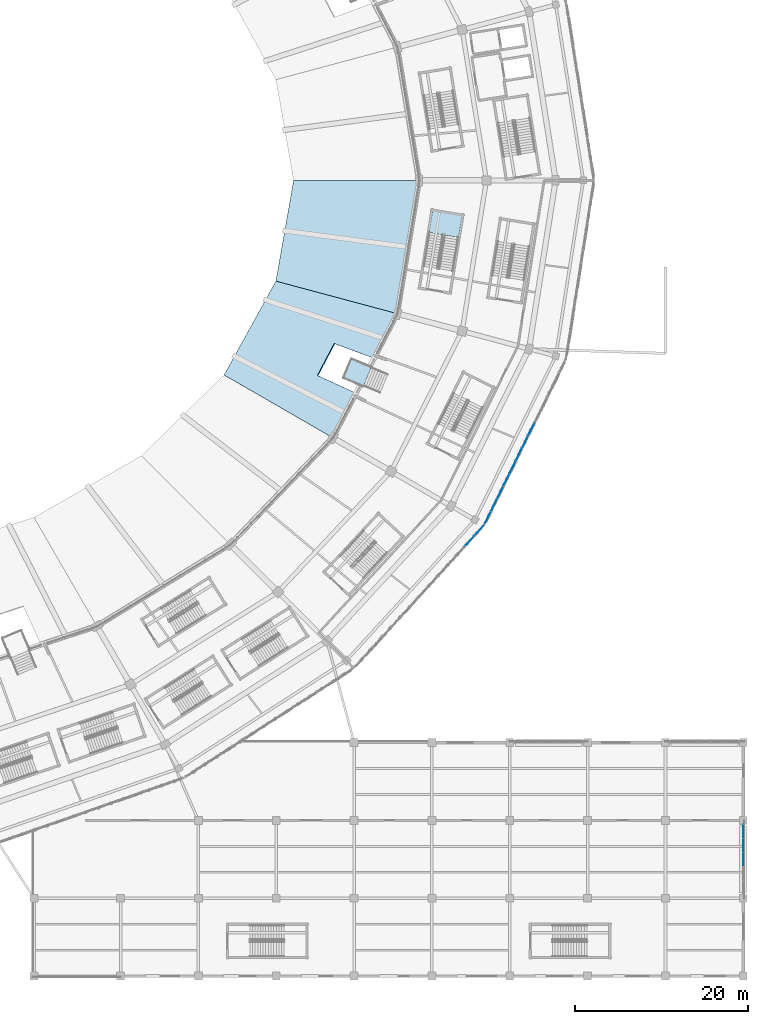
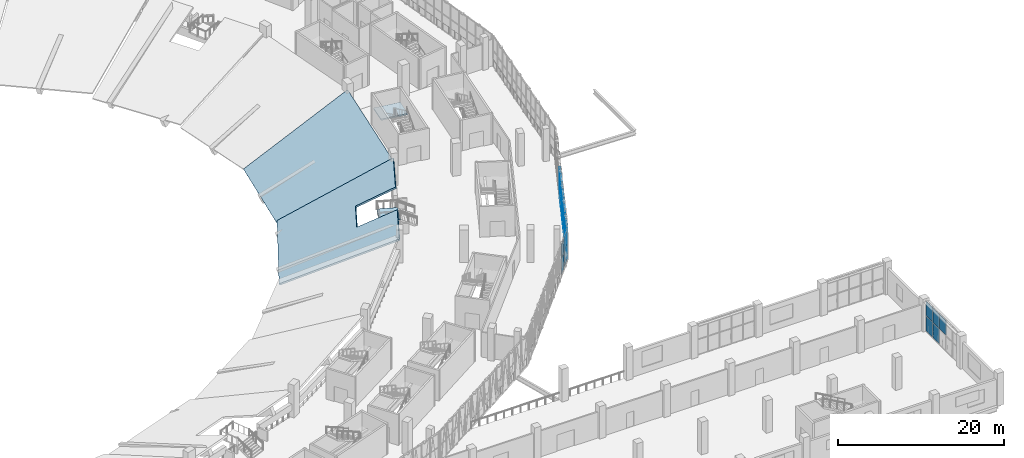
# One storey, part 83 of 183: 25 plates, 4 slabs, 5 elements without a shape of their own.
"""IFC4 building model written with IfcOpenShell, lengths in metres."""

from ifc_helpers import new_model, si_unit, direction, frame, origin, origin_2d, place, context, subcontext, project, spatial, polyline, rectangle, outline, extrude, material, layer, layer_set, type_object, element, aggregate, save


model = new_model("IFC4")

# Units and contexts
model_context = context("Model", 3, precision=1e-05, world=origin(), true_north=direction((0.0, 1.0)))
body_context = subcontext(model_context, "Body", "Model", "MODEL_VIEW")
ifc_project = project(units=[si_unit("LENGTHUNIT", "METRE"), si_unit("AREAUNIT", "SQUARE_METRE"), si_unit("VOLUMEUNIT", "CUBIC_METRE"), si_unit("PLANEANGLEUNIT", "RADIAN"), si_unit("MASSUNIT", "GRAM", prefix="KILO")], contexts=[model_context])

# Site, building, storey
site_placement = place(None, origin())
site = spatial("IfcSite", under=ifc_project, at=site_placement, CompositionType="ELEMENT")
building_placement = place(site_placement, origin())
building = spatial("IfcBuilding", under=site, at=building_placement, Name="Zevraka Park Crest Stadium", CompositionType="ELEMENT")
storey_placement = place(building_placement, frame((0.0, 0.0, 5.39990234375)))
storey = spatial("IfcBuildingStorey", under=building, at=storey_placement, Name="L01", CompositionType="ELEMENT", Elevation=5.39990234375)

# Curtain wall, plates
ifc_material_1 = material(Name="Anodised architectural aluminium and laminated safety glass", Category="aluminium")
curtain_wall_type_1 = type_object("IfcCurtainWallType", Name="CW02", PredefinedType="NOTDEFINED", material=ifc_material_1)
curtain_wall_1_placement = place(storey_placement, origin())
curtain_wall_1 = element("IfcCurtainWall", 1, at=curtain_wall_1_placement, inside=storey, type_object=curtain_wall_type_1, Name="Unitised Ring Curtain Wall CW02 L01-22", PredefinedType="NOTDEFINED")
ifc_material_2 = material(Name="Solar-control laminated double glazing", Category="glass")
ifc_layer_1 = layer(ifc_material_2, 0.028076171875)
ifc_layer_set_1 = layer_set([ifc_layer_1], Name="Solar-control laminated double glazing")
plate_type_1 = type_object("IfcPlateType", Name="CP02", PredefinedType="CURTAIN_PANEL", material=ifc_layer_set_1)
plate_1_placement = place(storey_placement, frame((194.45556640625, 53.006103515625, 0.06494140625), z_axis=(0.0, 0.0, 1.0), x_axis=(0.44151730924, 0.897252732312, 0.0)))
plate_1 = element("IfcPlate", 2, at=plate_1_placement, type_object=plate_type_1, Name="CW02 panel 1.1", PredefinedType="CURTAIN_PANEL", context=body_context, shape_type="SweptSolid", body=[
    extrude(rectangle(XDim=1.531005859375, YDim=0.028076171875, at=origin_2d()), origin(), (0.0, 0.0, 1.0), 2.302490234375),
])
plate_2_placement = place(storey_placement, frame((194.45556640625, 53.006103515625, 2.4326171875), z_axis=(0.0, 0.0, 1.0), x_axis=(0.44151730924, 0.897252732312, 0.0)))
plate_2 = element("IfcPlate", 3, at=plate_2_placement, type_object=plate_type_1, Name="CW02 panel 1.2", PredefinedType="CURTAIN_PANEL", context=body_context, shape_type="SweptSolid", body=[
    extrude(rectangle(XDim=1.531005859375, YDim=0.028076171875, at=origin_2d()), origin(), (0.0, 0.0, 1.0), 2.0224609375),
])
plate_3_placement = place(storey_placement, frame((195.16748046875, 54.45263671875, 0.06494140625), z_axis=(0.0, 0.0, 1.0), x_axis=(0.44151730924, 0.897252732312, 0.0)))
plate_3 = element("IfcPlate", 4, at=plate_3_placement, type_object=plate_type_1, Name="CW02 panel 2.1", PredefinedType="CURTAIN_PANEL", context=body_context, shape_type="SweptSolid", body=[
    extrude(rectangle(XDim=1.5634765625, YDim=0.028076171875, at=origin_2d()), origin(), (0.0, 0.0, 1.0), 2.302490234375),
])
plate_4_placement = place(storey_placement, frame((195.16748046875, 54.45263671875, 2.4326171875), z_axis=(0.0, 0.0, 1.0), x_axis=(0.44151730924, 0.897252732312, 0.0)))
plate_4 = element("IfcPlate", 5, at=plate_4_placement, type_object=plate_type_1, Name="CW02 panel 2.2", PredefinedType="CURTAIN_PANEL", context=body_context, shape_type="SweptSolid", body=[
    extrude(rectangle(XDim=1.5634765625, YDim=0.028076171875, at=origin_2d()), origin(), (0.0, 0.0, 1.0), 2.0224609375),
])
plate_5_placement = place(storey_placement, frame((195.886474609375, 55.913818359375, 0.06494140625), z_axis=(0.0, 0.0, 1.0), x_axis=(0.44151730924, 0.897252732312, 0.0)))
plate_5 = element("IfcPlate", 6, at=plate_5_placement, type_object=plate_type_1, Name="CW02 panel 3.1", PredefinedType="CURTAIN_PANEL", context=body_context, shape_type="SweptSolid", body=[
    extrude(rectangle(XDim=1.5634765625, YDim=0.028076171875, at=origin_2d()), origin(), (0.0, 0.0, 1.0), 2.302490234375),
])
plate_6_placement = place(storey_placement, frame((195.886474609375, 55.913818359375, 2.4326171875), z_axis=(0.0, 0.0, 1.0), x_axis=(0.44151730924, 0.897252732312, 0.0)))
plate_6 = element("IfcPlate", 7, at=plate_6_placement, type_object=plate_type_1, Name="CW02 panel 3.2", PredefinedType="CURTAIN_PANEL", context=body_context, shape_type="SweptSolid", body=[
    extrude(rectangle(XDim=1.5634765625, YDim=0.028076171875, at=origin_2d()), origin(), (0.0, 0.0, 1.0), 2.0224609375),
])
plate_7_placement = place(storey_placement, frame((196.60546875, 57.375, 0.06494140625), z_axis=(0.0, 0.0, 1.0), x_axis=(0.44151730924, 0.897252732312, 0.0)))
plate_7 = element("IfcPlate", 8, at=plate_7_placement, type_object=plate_type_1, Name="CW02 panel 4.1", PredefinedType="CURTAIN_PANEL", context=body_context, shape_type="SweptSolid", body=[
    extrude(rectangle(XDim=1.5634765625, YDim=0.028076171875, at=origin_2d()), origin(), (0.0, 0.0, 1.0), 2.302490234375),
])
plate_8_placement = place(storey_placement, frame((196.60546875, 57.375, 2.4326171875), z_axis=(0.0, 0.0, 1.0), x_axis=(0.44151730924, 0.897252732312, 0.0)))
plate_8 = element("IfcPlate", 9, at=plate_8_placement, type_object=plate_type_1, Name="CW02 panel 4.2", PredefinedType="CURTAIN_PANEL", context=body_context, shape_type="SweptSolid", body=[
    extrude(rectangle(XDim=1.5634765625, YDim=0.028076171875, at=origin_2d()), origin(), (0.0, 0.0, 1.0), 2.0224609375),
])
plate_9_placement = place(storey_placement, frame((197.324462890625, 58.836181640625, 0.06494140625), z_axis=(0.0, 0.0, 1.0), x_axis=(0.44151730924, 0.897252732312, 0.0)))
plate_9 = element("IfcPlate", 10, at=plate_9_placement, type_object=plate_type_1, Name="CW02 panel 5.1", PredefinedType="CURTAIN_PANEL", context=body_context, shape_type="SweptSolid", body=[
    extrude(rectangle(XDim=1.5634765625, YDim=0.028076171875, at=origin_2d()), origin(), (0.0, 0.0, 1.0), 2.302490234375),
])
plate_10_placement = place(storey_placement, frame((197.324462890625, 58.836181640625, 2.4326171875), z_axis=(0.0, 0.0, 1.0), x_axis=(0.44151730924, 0.897252732312, 0.0)))
plate_10 = element("IfcPlate", 11, at=plate_10_placement, type_object=plate_type_1, Name="CW02 panel 5.2", PredefinedType="CURTAIN_PANEL", context=body_context, shape_type="SweptSolid", body=[
    extrude(rectangle(XDim=1.5634765625, YDim=0.028076171875, at=origin_2d()), origin(), (0.0, 0.0, 1.0), 2.0224609375),
])
plate_11_placement = place(storey_placement, frame((198.04345703125, 60.29736328125, 0.06494140625), z_axis=(0.0, 0.0, 1.0), x_axis=(0.44151730924, 0.897252732312, 0.0)))
plate_11 = element("IfcPlate", 12, at=plate_11_placement, type_object=plate_type_1, Name="CW02 panel 6.1", PredefinedType="CURTAIN_PANEL", context=body_context, shape_type="SweptSolid", body=[
    extrude(rectangle(XDim=1.5634765625, YDim=0.028076171875, at=origin_2d()), origin(), (0.0, 0.0, 1.0), 2.302490234375),
])
plate_12_placement = place(storey_placement, frame((198.04345703125, 60.29736328125, 2.4326171875), z_axis=(0.0, 0.0, 1.0), x_axis=(0.44151730924, 0.897252732312, 0.0)))
plate_12 = element("IfcPlate", 13, at=plate_12_placement, type_object=plate_type_1, Name="CW02 panel 6.2", PredefinedType="CURTAIN_PANEL", context=body_context, shape_type="SweptSolid", body=[
    extrude(rectangle(XDim=1.5634765625, YDim=0.028076171875, at=origin_2d()), origin(), (0.0, 0.0, 1.0), 2.0224609375),
])
plate_13_placement = place(storey_placement, frame((198.762451171875, 61.758544921875, 0.06494140625), z_axis=(0.0, 0.0, 1.0), x_axis=(0.44151730924, 0.897252732312, 0.0)))
plate_13 = element("IfcPlate", 14, at=plate_13_placement, type_object=plate_type_1, Name="CW02 panel 7.1", PredefinedType="CURTAIN_PANEL", context=body_context, shape_type="SweptSolid", body=[
    extrude(rectangle(XDim=1.5634765625, YDim=0.028076171875, at=origin_2d()), origin(), (0.0, 0.0, 1.0), 2.302490234375),
])
plate_14_placement = place(storey_placement, frame((198.762451171875, 61.758544921875, 2.4326171875), z_axis=(0.0, 0.0, 1.0), x_axis=(0.44151730924, 0.897252732312, 0.0)))
plate_14 = element("IfcPlate", 15, at=plate_14_placement, type_object=plate_type_1, Name="CW02 panel 7.2", PredefinedType="CURTAIN_PANEL", context=body_context, shape_type="SweptSolid", body=[
    extrude(rectangle(XDim=1.5634765625, YDim=0.028076171875, at=origin_2d()), origin(), (0.0, 0.0, 1.0), 2.0224609375),
])
plate_15_placement = place(storey_placement, frame((199.4814453125, 63.2197265625, 0.06494140625), z_axis=(0.0, 0.0, 1.0), x_axis=(0.44151730924, 0.897252732312, 0.0)))
plate_15 = element("IfcPlate", 16, at=plate_15_placement, type_object=plate_type_1, Name="CW02 panel 8.1", PredefinedType="CURTAIN_PANEL", context=body_context, shape_type="SweptSolid", body=[
    extrude(rectangle(XDim=1.5634765625, YDim=0.028076171875, at=origin_2d()), origin(), (0.0, 0.0, 1.0), 2.302490234375),
])
plate_16_placement = place(storey_placement, frame((199.4814453125, 63.2197265625, 2.4326171875), z_axis=(0.0, 0.0, 1.0), x_axis=(0.44151730924, 0.897252732312, 0.0)))
plate_16 = element("IfcPlate", 17, at=plate_16_placement, type_object=plate_type_1, Name="CW02 panel 8.2", PredefinedType="CURTAIN_PANEL", context=body_context, shape_type="SweptSolid", body=[
    extrude(rectangle(XDim=1.5634765625, YDim=0.028076171875, at=origin_2d()), origin(), (0.0, 0.0, 1.0), 2.0224609375),
])
aggregate(curtain_wall_1, [plate_1, plate_2, plate_3, plate_4, plate_5, plate_6, plate_7, plate_8, plate_9, plate_10, plate_11, plate_12, plate_13, plate_14, plate_15, plate_16])

ifc_material_3 = material(Name="Anodised architectural aluminium and laminated safety glass", Category="aluminium")
curtain_wall_type_2 = type_object("IfcCurtainWallType", Name="CW03", PredefinedType="NOTDEFINED", material=ifc_material_3)
curtain_wall_2_placement = place(storey_placement, origin())
curtain_wall_2 = element("IfcCurtainWall", 18, at=curtain_wall_2_placement, inside=storey, type_object=curtain_wall_type_2, Name="Unitised Ring Curtain Wall CW03 L01-21", PredefinedType="NOTDEFINED")
ifc_material_4 = material(Name="Solar-control laminated double glazing", Category="glass")
ifc_layer_2 = layer(ifc_material_4, 0.028076171875)
ifc_layer_set_2 = layer_set([ifc_layer_2], Name="Solar-control laminated double glazing")
plate_type_2 = type_object("IfcPlateType", Name="CP03", PredefinedType="CURTAIN_PANEL", material=ifc_layer_set_2)
plate_17_placement = place(storey_placement, frame((192.35205078125, 50.301513671875, 0.070068359375), z_axis=(0.0, 0.0, 1.0), x_axis=(0.673679672672, 0.739023476371, 0.0)))
plate_17 = element("IfcPlate", 19, at=plate_17_placement, type_object=plate_type_2, Name="CW03 panel 13.1", PredefinedType="CURTAIN_PANEL", context=body_context, shape_type="SweptSolid", body=[
    extrude(rectangle(XDim=1.50732421875, YDim=0.028076171875, at=origin_2d()), origin(), (0.0, 0.0, 1.0), 2.294921875),
])
plate_18_placement = place(storey_placement, frame((192.35205078125, 50.301513671875, 2.43505859375), z_axis=(0.0, 0.0, 1.0), x_axis=(0.673679672672, 0.739023476371, 0.0)))
plate_18 = element("IfcPlate", 20, at=plate_18_placement, type_object=plate_type_2, Name="CW03 panel 13.2", PredefinedType="CURTAIN_PANEL", context=body_context, shape_type="SweptSolid", body=[
    extrude(rectangle(XDim=1.50732421875, YDim=0.028076171875, at=origin_2d()), origin(), (0.0, 0.0, 1.0), 2.014892578125),
])
plate_19_placement = place(storey_placement, frame((193.40283203125, 51.4541015625, 0.070068359375), z_axis=(0.0, 0.0, 1.0), x_axis=(0.673679672672, 0.739023476371, 0.0)))
plate_19 = element("IfcPlate", 21, at=plate_19_placement, type_object=plate_type_2, Name="CW03 panel 14.1", PredefinedType="CURTAIN_PANEL", context=body_context, shape_type="SweptSolid", body=[
    extrude(rectangle(XDim=1.472412109375, YDim=0.028076171875, at=origin_2d()), origin(), (0.0, 0.0, 1.0), 2.294921875),
])
plate_20_placement = place(storey_placement, frame((193.40283203125, 51.4541015625, 2.43505859375), z_axis=(0.0, 0.0, 1.0), x_axis=(0.673679672672, 0.739023476371, 0.0)))
plate_20 = element("IfcPlate", 22, at=plate_20_placement, type_object=plate_type_2, Name="CW03 panel 14.2", PredefinedType="CURTAIN_PANEL", context=body_context, shape_type="SweptSolid", body=[
    extrude(rectangle(XDim=1.472412109375, YDim=0.028076171875, at=origin_2d()), origin(), (0.0, 0.0, 1.0), 2.014892578125),
])
aggregate(curtain_wall_2, [plate_17, plate_18, plate_19, plate_20])

ifc_material_5 = material(Name="Anodised architectural aluminium and laminated safety glass", Category="aluminium")
curtain_wall_type_3 = type_object("IfcCurtainWallType", Name="CW28", PredefinedType="NOTDEFINED", material=ifc_material_5)
curtain_wall_3_placement = place(storey_placement, origin())
curtain_wall_3 = element("IfcCurtainWall", 23, at=curtain_wall_3_placement, inside=storey, type_object=curtain_wall_type_3, Name="Wing Curtain Wall CW28 L01-SE-E-2", PredefinedType="NOTDEFINED")
ifc_material_6 = material(Name="Solar-control laminated double glazing", Category="glass")
ifc_layer_3 = layer(ifc_material_6, 0.035888671875)
ifc_layer_set_3 = layer_set([ifc_layer_3], Name="Solar-control laminated double glazing")
plate_type_3 = type_object("IfcPlateType", Name="CP28", PredefinedType="CURTAIN_PANEL", material=ifc_layer_set_3)
plate_21_placement = place(storey_placement, frame((224.0, 16.73291015625, 0.06005859375), z_axis=(0.0, 0.0, 1.0), x_axis=(0.0, -1.0, 0.0)))
plate_21 = element("IfcPlate", 24, at=plate_21_placement, type_object=plate_type_3, Name="CW28 panel 1.1", PredefinedType="CURTAIN_PANEL", context=body_context, shape_type="SweptSolid", body=[
    extrude(rectangle(XDim=1.533935546875, YDim=0.035888671875, at=origin_2d()), origin(), (0.0, 0.0, 1.0), 2.2099609375),
])
plate_22_placement = place(storey_placement, frame((224.0, 16.73291015625, 2.330078125), z_axis=(0.0, 0.0, 1.0), x_axis=(0.0, -1.0, 0.0)))
plate_22 = element("IfcPlate", 25, at=plate_22_placement, type_object=plate_type_3, Name="CW28 panel 1.2", PredefinedType="CURTAIN_PANEL", context=body_context, shape_type="SweptSolid", body=[
    extrude(rectangle(XDim=1.533935546875, YDim=0.035888671875, at=origin_2d()), origin(), (0.0, 0.0, 1.0), 2.1298828125),
])
plate_23_placement = place(storey_placement, frame((224.0, 15.1240234375, 0.06005859375), z_axis=(0.0, 0.0, 1.0), x_axis=(0.0, -1.0, 0.0)))
plate_23 = element("IfcPlate", 26, at=plate_23_placement, type_object=plate_type_3, Name="CW28 panel 2.1", PredefinedType="CURTAIN_PANEL", context=body_context, shape_type="SweptSolid", body=[
    extrude(rectangle(XDim=1.56396484375, YDim=0.035888671875, at=origin_2d()), origin(), (0.0, 0.0, 1.0), 2.2099609375),
])
plate_24_placement = place(storey_placement, frame((224.0, 15.1240234375, 2.330078125), z_axis=(0.0, 0.0, 1.0), x_axis=(0.0, -1.0, 0.0)))
plate_24 = element("IfcPlate", 27, at=plate_24_placement, type_object=plate_type_3, Name="CW28 panel 2.2", PredefinedType="CURTAIN_PANEL", context=body_context, shape_type="SweptSolid", body=[
    extrude(rectangle(XDim=1.56396484375, YDim=0.035888671875, at=origin_2d()), origin(), (0.0, 0.0, 1.0), 2.1298828125),
])
plate_25_placement = place(storey_placement, frame((224.0, 13.5, 2.330078125), z_axis=(0.0, 0.0, 1.0), x_axis=(0.0, -1.0, 0.0)))
plate_25 = element("IfcPlate", 28, at=plate_25_placement, type_object=plate_type_3, Name="CW28 panel 3.2", PredefinedType="CURTAIN_PANEL", context=body_context, shape_type="SweptSolid", body=[
    extrude(rectangle(XDim=1.56396484375, YDim=0.035888671875, at=origin_2d()), origin(), (0.0, 0.0, 1.0), 2.1298828125),
])
aggregate(curtain_wall_3, [plate_21, plate_22, plate_23, plate_24, plate_25])

# Stair, slab
ifc_material_7 = material(Name="Concrete C35/45", Category="concrete")
stair_type_1 = type_object("IfcStairType", Name="STB2", PredefinedType="HALF_TURN_STAIR", material=ifc_material_7)
stair_1_placement = place(storey_placement, origin())
stair_1 = element("IfcStair", 29, at=stair_1_placement, inside=storey, type_object=stair_type_1, Name="L01 Protected Concourse Relief Stair ST44", PredefinedType="HALF_TURN_STAIR")
ifc_material_8 = material(Name="Concrete C35/45", Category="concrete")
ifc_layer_4 = layer(ifc_material_8, 0.199951171875)
ifc_layer_set_4 = layer_set([ifc_layer_4], Name="Concrete C35/45")
slab_type_1 = type_object("IfcSlabType", Name="LS01", PredefinedType="LANDING", material=ifc_layer_set_4)
slab_1_placement = place(storey_placement, frame((0.0, 0.0, 2.2001953125)))
slab_1 = element("IfcSlab", 30, at=slab_1_placement, type_object=slab_type_1, Name="ST44 landing 1", PredefinedType="LANDING", context=body_context, shape_type="SweptSolid", body=[
    extrude(outline(polyline([(191.078857421875, 85.406982421875), (191.490234375, 87.93359375), (188.0751953125, 88.48974609375), (187.663818359375, 85.962890625), (191.078857421875, 85.406982421875)])), origin(), (0.0, 0.0, 1.0), 0.199951171875),
])
aggregate(stair_1, [slab_1])

ifc_material_9 = material(Name="Concrete C35/45", Category="concrete")
stair_type_2 = type_object("IfcStairType", Name="VST1", PredefinedType="STRAIGHT_RUN_STAIR", material=ifc_material_9)
stair_2_placement = place(storey_placement, origin())
stair_2 = element("IfcStair", 31, at=stair_2_placement, inside=storey, type_object=stair_type_2, Name="Vomitory Stair VS-08", PredefinedType="STRAIGHT_RUN_STAIR")
ifc_material_10 = material(Name="Concrete C35/45", Category="concrete")
ifc_layer_5 = layer(ifc_material_10, 0.179931640625)
ifc_layer_set_5 = layer_set([ifc_layer_5], Name="Concrete C35/45")
slab_type_2 = type_object("IfcSlabType", Name="LS02", PredefinedType="LANDING", material=ifc_layer_set_5)
slab_2_placement = place(storey_placement, frame((0.0, 0.0, 1.02001953125)))
slab_2 = element("IfcSlab", 32, at=slab_2_placement, type_object=slab_type_2, Name="VST1 landing 1", PredefinedType="LANDING", context=body_context, shape_type="SweptSolid", body=[
    extrude(outline(polyline([(180.9990234375, 70.409912109375), (178.666015625, 71.3759765625), (177.748046875, 69.158935546875), (180.0810546875, 68.19189453125), (180.9990234375, 70.409912109375)])), origin(), (0.0, 0.0, 1.0), 0.18017578125),
])
aggregate(stair_2, [slab_2])

# Slabs
ifc_material_11 = material(Name="Concrete C35/45", Category="concrete")
ifc_layer_6 = layer(ifc_material_11, 0.25)
ifc_layer_set_6 = layer_set([ifc_layer_6], Name="Concrete C35/45")
slab_type_3 = type_object("IfcSlabType", Name="STL1", PredefinedType="USERDEFINED", material=ifc_layer_set_6)
slab_3_placement = place(storey_placement, frame((163.9619140625, 69.5, -3.517578125), z_axis=(-0.385474297041, 0.15967894094, 0.908797118251), x_axis=(0.482829240661, 0.874216895554, 0.051193201614)))
element("IfcSlab", 33, at=slab_3_placement, inside=storey, type_object=slab_type_3, Name="Lower Tier Raked Seating Slab 22", ObjectType="SEATING TIER", PredefinedType="USERDEFINED", context=body_context, shape_type="SweptSolid", body=[
    extrude(outline(polyline([(0.0, 0.0), (12.414579417833545, -1.6653345369377348e-16), (16.233539442750605, -15.465924950254418), (10.412132509743303, -15.63346623379224), (9.573035504181414, -10.317727313160253), (5.402776338466024, -10.403532438991968), (5.884151086579557, -15.763501241328278), (0.06275665191249302, -15.931143620033351), (0.0, 0.0)])), origin(), (0.0, 0.0, -1.0), 0.25),
])
slab_4_placement = place(storey_placement, frame((169.9560546875, 80.35302734375, -3.316162109375), z_axis=(-0.413678354675, 0.054461033566, 0.908792723726), x_axis=(0.172816474741, 0.984757974906, 0.019651893485)))
element("IfcSlab", 34, at=slab_4_placement, inside=storey, type_object=slab_type_3, Name="Lower Tier Raked Seating Slab 23", ObjectType="SEATING TIER", PredefinedType="USERDEFINED", context=body_context, shape_type="SweptSolid", body=[
    extrude(outline(polyline([(0.0, 0.0), (11.827244160152556, -5.551115123125783e-16), (14.462792257855831, -15.712046272215028), (-1.1457533439015568, -15.889195685552531), (0.0, 0.0)])), origin(), (0.0, 0.0, -1.0), 0.25),
])

save(model, "model.ifc")
